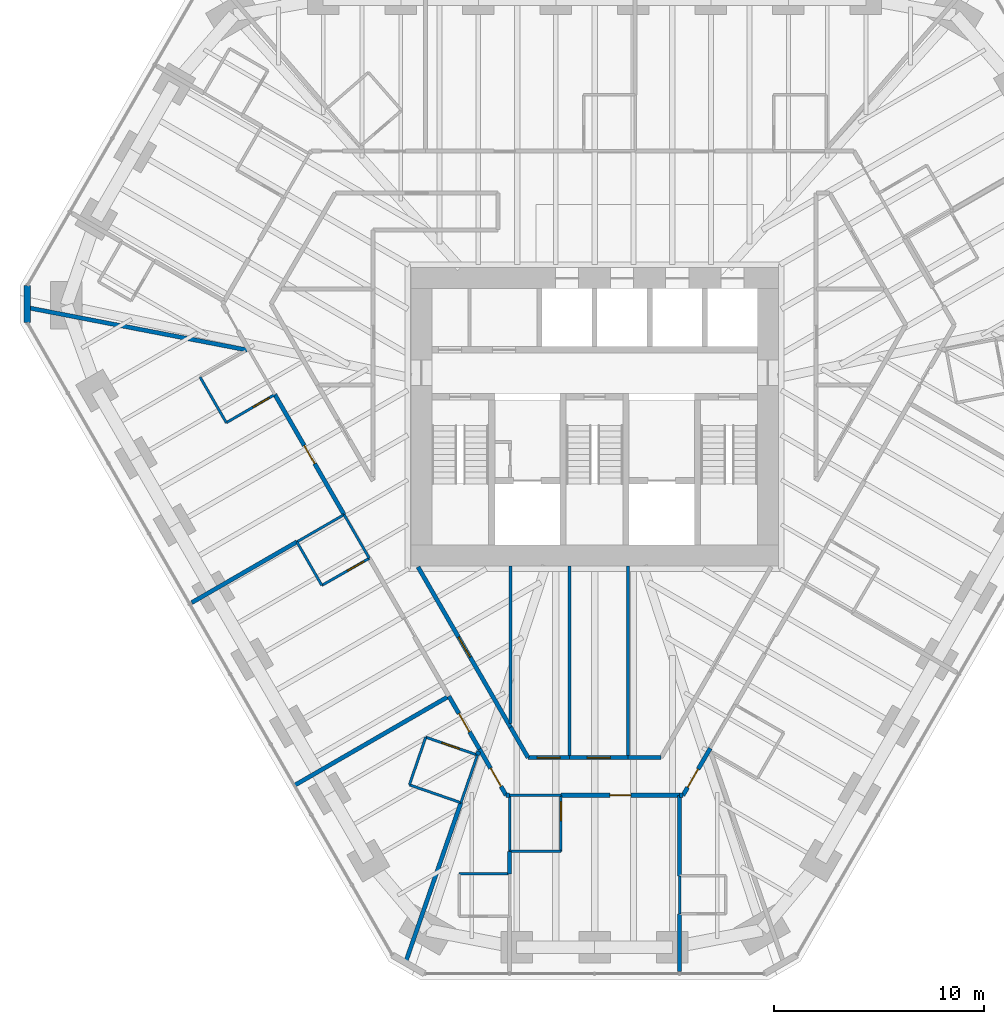
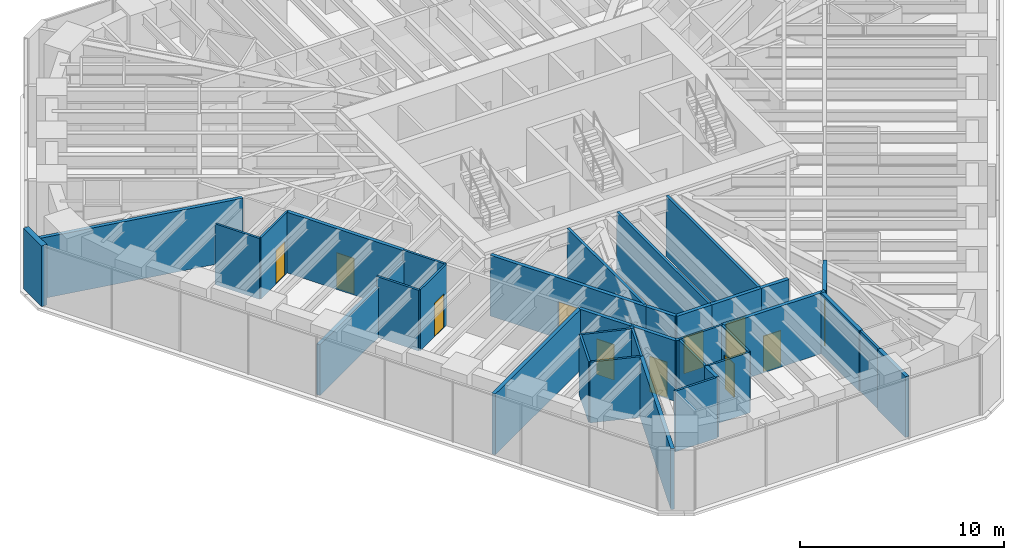
# One storey, part 11 of 16: 40 walls, 12 doors, 12 openings.
"""IFC4 building model written with IfcOpenShell, lengths in metres."""

from ifc_helpers import new_model, si_unit, direction, frame, frame_2d, origin, place, context, subcontext, project, spatial, rectangle, extrude, material, layer, layer_set, type_object, element, fill, save


model = new_model("IFC4")

# Units and contexts
model_context = context("Model", 3, precision=1e-05, world=origin(), true_north=direction((0.0, 1.0)))
body_context = subcontext(model_context, "Body", "Model", "MODEL_VIEW")
ifc_project = project(units=[si_unit("LENGTHUNIT", "METRE"), si_unit("AREAUNIT", "SQUARE_METRE"), si_unit("VOLUMEUNIT", "CUBIC_METRE"), si_unit("PLANEANGLEUNIT", "RADIAN"), si_unit("MASSUNIT", "GRAM", prefix="KILO")], contexts=[model_context])

# Site, building, storey
site_placement = place(None, origin())
site = spatial("IfcSite", under=ifc_project, at=site_placement, CompositionType="ELEMENT")
building_placement = place(site_placement, origin())
building = spatial("IfcBuilding", under=site, at=building_placement, Name="Sandreach Pilgrim Tower", CompositionType="ELEMENT")
storey_placement = place(building_placement, frame((0.0, 0.0, 209.800048828125)))
storey = spatial("IfcBuildingStorey", under=building, at=storey_placement, Name="L52", CompositionType="ELEMENT", Elevation=209.800048828125)

# Walls
ifc_material_1 = material(Name="Gypsum board on steel studs", Category="steel")
ifc_layer_1 = layer(ifc_material_1, 0.14990234375)
ifc_layer_set_1 = layer_set([ifc_layer_1], Name="Back of house wall 150")
wall_type_1 = type_object("IfcWallType", Name="Back of house wall 150", PredefinedType="PARTITIONING", material=ifc_layer_set_1)
wall_1_placement = place(storey_placement, frame((-4.0, -7.10009765625, 0.0), z_axis=(0.0, 0.0, 1.0), x_axis=(0.0, -1.0, 0.0)))
element("IfcWall", 1, at=wall_1_placement, inside=storey, type_object=wall_type_1, Name="Back of house wall L52-074", PredefinedType="PARTITIONING", context=body_context, shape_type="SweptSolid", body=[
    extrude(rectangle(XDim=7.514892578125, YDim=0.14990234375, at=frame_2d((3.75732421875, 0.0))), origin(), (0.0, 0.0, 1.0), 3.639892578125),
])
for number, where, z_axis, x_axis, name in (
    (2, (-1.199951171875, -7.10009765625, 0.0), (0.0, 0.0, 1.0), (0.0, -1.0, 0.0), "Back of house wall L52-079"),
    (3, (1.60009765625, -7.10009765625, 0.0), (0.0, 0.0, 1.0), (0.0, -1.0, 0.0), "Back of house wall L52-083"),
):
    element("IfcWall", number, at=place(storey_placement, frame(where, z_axis=z_axis, x_axis=x_axis)), inside=storey, type_object=wall_type_1, Name=name, PredefinedType="PARTITIONING", context=body_context, shape_type="SweptSolid", body=[
        extrude(rectangle(XDim=9.1298828125, YDim=0.14990234375, at=frame_2d((4.56494140625, 0.0))), origin(), (0.0, 0.0, 1.0), 3.639892578125),
    ])
ifc_material_2 = material(Name="Moisture-resistant gypsum board on steel studs", Category="steel")
ifc_layer_2 = layer(ifc_material_2, 0.1201171875)
ifc_layer_set_2 = layer_set([ifc_layer_2], Name="Bathroom partition 120")
wall_type_2 = type_object("IfcWallType", Name="Bathroom partition 120", PredefinedType="PARTITIONING", material=ifc_layer_set_2)
wall_2_placement = place(storey_placement, frame((-18.7900390625, 1.889892578125, 0.0), z_axis=(0.0, 0.0, 1.0), x_axis=(0.499159685399, -0.866510016372, 0.0)))
element("IfcWall", 4, at=wall_2_placement, inside=storey, type_object=wall_type_2, Name="Bathroom partition L52-010", PredefinedType="PARTITIONING", context=body_context, shape_type="SweptSolid", body=[
    extrude(rectangle(XDim=2.504150390625, YDim=0.1201171875, at=frame_2d((1.251953125, 0.0))), origin(), (0.0, 0.0, 1.0), 3.639892578125),
])

# Wall, opening, door
wall_3_placement = place(storey_placement, frame((-17.5400390625, -0.280029296875, 0.0), z_axis=(0.0, 0.0, 1.0), x_axis=(0.86498992408, 0.501789229896, 0.0)))
wall_3 = element("IfcWall", 5, at=wall_3_placement, inside=storey, type_object=wall_type_2, Name="Bathroom partition L52-015", PredefinedType="PARTITIONING", context=body_context, shape_type="SweptSolid", body=[
    extrude(rectangle(XDim=2.670654296875, YDim=0.1201171875, at=frame_2d((1.33544921875, 0.0))), origin(), (0.0, 0.0, 1.0), 3.639892578125),
])
opening_1_placement = place(wall_3_placement, frame((1.470458984375, 0.0, 0.0)))
opening_1 = element("IfcOpeningElement", 6, at=opening_1_placement, cuts=wall_3, Name="Opening D09-14B", PredefinedType="OPENING", context=body_context, shape_type="SweptSolid", body=[
    extrude(rectangle(XDim=0.89990234375, YDim=2.030029296875, at=frame_2d((0.449951171875, 1.01513671875))), frame((0.0, 0.06005859375, 0.0), z_axis=(0.0, -1.0, 0.0), x_axis=(1.0, 0.0, 0.0)), (0.0, 0.0, 1.0), 0.1201171875),
])
ifc_material_3 = material(Name="Timber door, steel frame", Category="steel")
door_type_1 = type_object("IfcDoorType", Name="Bathroom door", OperationType="SINGLE_SWING_LEFT", PredefinedType="DOOR", material=ifc_material_3)
door_1_placement = place(opening_1_placement, origin())
door_1 = element("IfcDoor", 7, at=door_1_placement, inside=storey, type_object=door_type_1, Name="Door 5214B", OperationType="SINGLE_SWING_RIGHT", OverallHeight=2.030029296875, OverallWidth=0.89990234375, PredefinedType="DOOR", context=body_context, shape_type="SweptSolid", body=[
    extrude(rectangle(XDim=0.89990234375, YDim=2.030029296875, at=frame_2d((0.449951171875, 1.01513671875))), frame((0.0, 0.02490234375, 0.0), z_axis=(0.0, -1.0, 0.0), x_axis=(1.0, 0.0, 0.0)), (0.0, 0.0, 1.0), 0.050048828125),
])
fill(opening_1, door_1)

# Walls
wall_4_placement = place(storey_placement, frame((-14.179931640625, -5.9599609375, 0.0), z_axis=(0.0, 0.0, 1.0), x_axis=(0.49836161924, -0.866969259241, 0.0)))
element("IfcWall", 8, at=wall_4_placement, inside=storey, type_object=wall_type_2, Name="Bathroom partition L52-032", PredefinedType="PARTITIONING", context=body_context, shape_type="SweptSolid", body=[
    extrude(rectangle(XDim=2.3876953125, YDim=0.1201171875, at=frame_2d((1.19384765625, 0.0))), origin(), (0.0, 0.0, 1.0), 3.639892578125),
])
wall_5_placement = place(storey_placement, frame((-14.179931640625, -5.9599609375, 0.0), z_axis=(0.0, 0.0, 1.0), x_axis=(0.865856933682, 0.500291685314, 0.0)))
element("IfcWall", 9, at=wall_5_placement, inside=storey, type_object=wall_type_2, Name="Bathroom partition L52-033", PredefinedType="PARTITIONING", context=body_context, shape_type="SweptSolid", body=[
    extrude(rectangle(XDim=2.5986328125, YDim=0.1201171875, at=frame_2d((1.29931640625, 0.0))), origin(), (0.0, 0.0, 1.0), 3.0380859375),
])

# Wall, opening, door
wall_6_placement = place(storey_placement, frame((-12.989990234375, -8.030029296875, 0.0), z_axis=(0.0, 0.0, 1.0), x_axis=(0.868473984885, 0.49573474518, 0.0)))
wall_6 = element("IfcWall", 10, at=wall_6_placement, inside=storey, type_object=wall_type_2, Name="Bathroom partition L52-036", PredefinedType="PARTITIONING", context=body_context, shape_type="SweptSolid", body=[
    extrude(rectangle(XDim=2.602294921875, YDim=0.1201171875, at=frame_2d((1.30126953125, 0.0))), origin(), (0.0, 0.0, 1.0), 3.639892578125),
])
opening_2_placement = place(wall_6_placement, frame((1.402099609375, 0.0, 0.0)))
opening_2 = element("IfcOpeningElement", 11, at=opening_2_placement, cuts=wall_6, Name="Opening D09-13B", PredefinedType="OPENING", context=body_context, shape_type="SweptSolid", body=[
    extrude(rectangle(XDim=0.89990234375, YDim=2.030029296875, at=frame_2d((0.449951171875, 1.01513671875))), frame((0.0, 0.06005859375, 0.0), z_axis=(0.0, -1.0, 0.0), x_axis=(1.0, 0.0, 0.0)), (0.0, 0.0, 1.0), 0.1201171875),
])
door_2_placement = place(opening_2_placement, origin())
door_2 = element("IfcDoor", 12, at=door_2_placement, inside=storey, type_object=door_type_1, Name="Door 5213B", OperationType="SINGLE_SWING_RIGHT", OverallHeight=2.030029296875, OverallWidth=0.89990234375, PredefinedType="DOOR", context=body_context, shape_type="SweptSolid", body=[
    extrude(rectangle(XDim=0.89990234375, YDim=2.030029296875, at=frame_2d((0.449951171875, 1.01513671875))), frame((0.0, 0.02490234375, 0.0), z_axis=(0.0, -1.0, 0.0), x_axis=(1.0, 0.0, 0.0)), (0.0, 0.0, 1.0), 0.050048828125),
])
fill(opening_2, door_2)

# Walls
wall_7_placement = place(storey_placement, frame((-11.929931640625, -4.659912109375, 0.0), z_axis=(0.0, 0.0, 1.0), x_axis=(0.499693115345, -0.866202511239, 0.0)))
element("IfcWall", 13, at=wall_7_placement, inside=storey, type_object=wall_type_2, Name="Bathroom partition L52-039", PredefinedType="PARTITIONING", context=body_context, shape_type="SweptSolid", body=[
    extrude(rectangle(XDim=2.4013671875, YDim=0.1201171875, at=frame_2d((1.20068359375, 0.0))), origin(), (0.0, 0.0, 1.0), 3.639892578125),
])
wall_8_placement = place(storey_placement, frame((-8.820068359375, -17.530029296875, 0.0), z_axis=(0.0, 0.0, 1.0), x_axis=(0.944753042377, -0.327782990589, 0.0)))
element("IfcWall", 14, at=wall_8_placement, inside=storey, type_object=wall_type_2, Name="Bathroom partition L52-052", PredefinedType="PARTITIONING", context=body_context, shape_type="SweptSolid", body=[
    extrude(rectangle(XDim=2.593505859375, YDim=0.1201171875, at=frame_2d((1.296875, 0.0))), origin(), (0.0, 0.0, 1.0), 3.639892578125),
])
wall_9_placement = place(storey_placement, frame((-8.0400390625, -15.260009765625, 0.0), z_axis=(0.0, 0.0, 1.0), x_axis=(-0.324971746724, -0.945723724896, 0.0)))
element("IfcWall", 15, at=wall_9_placement, inside=storey, type_object=wall_type_2, Name="Bathroom partition L52-055", PredefinedType="PARTITIONING", context=body_context, shape_type="SweptSolid", body=[
    extrude(rectangle(XDim=2.400390625, YDim=0.1201171875, at=frame_2d((1.2001953125, 0.0))), origin(), (0.0, 0.0, 1.0), 3.639892578125),
])
wall_10_placement = place(storey_placement, frame((-6.36474609375, -18.3818359375, 0.0), z_axis=(0.0, 0.0, 1.0), x_axis=(0.327571022417, 0.944826558302, 0.0)))
element("IfcWall", 16, at=wall_10_placement, inside=storey, type_object=wall_type_2, Name="Bathroom partition L52-059", PredefinedType="PARTITIONING", context=body_context, shape_type="SweptSolid", body=[
    extrude(rectangle(XDim=2.403564453125, YDim=0.1201171875, at=frame_2d((1.20166015625, 0.0))), origin(), (0.0, 0.0, 1.0), 3.639892578125),
])

# Wall, opening, door
wall_11_placement = place(storey_placement, frame((-5.580078125, -16.110107421875, 0.0), z_axis=(0.0, 0.0, 1.0), x_axis=(-0.94515546045, 0.326620813149, 0.0)))
wall_11 = element("IfcWall", 17, at=wall_11_placement, inside=storey, type_object=wall_type_2, Name="Bathroom partition L52-060", PredefinedType="PARTITIONING", context=body_context, shape_type="SweptSolid", body=[
    extrude(rectangle(XDim=2.602783203125, YDim=0.1201171875, at=frame_2d((1.30126953125, 0.0))), origin(), (0.0, 0.0, 1.0), 3.639892578125),
])
opening_3_placement = place(wall_11_placement, frame((0.89990234375, 0.0, 0.0)))
opening_3 = element("IfcOpeningElement", 18, at=opening_3_placement, cuts=wall_11, Name="Opening D09-12B", PredefinedType="OPENING", context=body_context, shape_type="SweptSolid", body=[
    extrude(rectangle(XDim=0.89990234375, YDim=2.030029296875, at=frame_2d((0.449951171875, 1.01513671875))), frame((0.0, 0.06005859375, 0.0), z_axis=(0.0, -1.0, 0.0), x_axis=(1.0, 0.0, 0.0)), (0.0, 0.0, 1.0), 0.1201171875),
])
door_3_placement = place(opening_3_placement, origin())
door_3 = element("IfcDoor", 19, at=door_3_placement, inside=storey, type_object=door_type_1, Name="Door 5212B", OperationType="SINGLE_SWING_RIGHT", OverallHeight=2.030029296875, OverallWidth=0.89990234375, PredefinedType="DOOR", context=body_context, shape_type="SweptSolid", body=[
    extrude(rectangle(XDim=0.89990234375, YDim=2.030029296875, at=frame_2d((0.449951171875, 1.01513671875))), frame((0.0, 0.02490234375, 0.0), z_axis=(0.0, -1.0, 0.0), x_axis=(1.0, 0.0, 0.0)), (0.0, 0.0, 1.0), 0.050048828125),
])
fill(opening_3, door_3)

# Walls
wall_12_placement = place(storey_placement, frame((-4.050048828125, -21.77001953125, 0.0), z_axis=(0.0, 0.0, 1.0), x_axis=(-1.0, 0.0, 0.0)))
element("IfcWall", 20, at=wall_12_placement, inside=storey, type_object=wall_type_2, Name="Bathroom partition L52-068", PredefinedType="PARTITIONING", context=body_context, shape_type="SweptSolid", body=[
    extrude(rectangle(XDim=2.39990234375, YDim=0.1201171875, at=frame_2d((1.199951171875, 0.0))), origin(), (0.0, 0.0, 1.0), 3.639892578125),
])
wall_13_placement = place(storey_placement, frame((-4.050048828125, -20.699951171875, 0.0), z_axis=(0.0, 0.0, 1.0), x_axis=(0.0, 1.0, 0.0)))
element("IfcWall", 21, at=wall_13_placement, inside=storey, type_object=wall_type_2, Name="Bathroom partition L52-070", PredefinedType="PARTITIONING", context=body_context, shape_type="SweptSolid", body=[
    extrude(rectangle(XDim=2.669921875, YDim=0.1201171875, at=frame_2d((1.3349609375, 0.0))), origin(), (0.0, 0.0, 1.0), 3.639892578125),
])
for number, where, z_axis, x_axis, name in (
    (22, (-4.050048828125, -20.699951171875, 0.0), (0.0, 0.0, 1.0), (1.0, 0.0, 0.0), "Bathroom partition L52-071"),
    (23, (-4.050048828125, -18.030029296875, 0.0), (0.0, 0.0, 1.0), (1.0, 0.0, 0.0), "Bathroom partition L52-072"),
):
    element("IfcWall", number, at=place(storey_placement, frame(where, z_axis=z_axis, x_axis=x_axis)), inside=storey, type_object=wall_type_2, Name=name, PredefinedType="PARTITIONING", context=body_context, shape_type="SweptSolid", body=[
        extrude(rectangle(XDim=2.449951171875, YDim=0.1201171875, at=frame_2d((1.22509765625, 0.0))), origin(), (0.0, 0.0, 1.0), 3.639892578125),
    ])

# Wall, opening, door
wall_14_placement = place(storey_placement, frame((-1.60009765625, -20.699951171875, 0.0), z_axis=(0.0, 0.0, 1.0), x_axis=(0.0, 1.0, 0.0)))
wall_14 = element("IfcWall", 24, at=wall_14_placement, inside=storey, type_object=wall_type_2, Name="Bathroom partition L52-076", PredefinedType="PARTITIONING", context=body_context, shape_type="SweptSolid", body=[
    extrude(rectangle(XDim=2.669921875, YDim=0.1201171875, at=frame_2d((1.3349609375, 0.0))), origin(), (0.0, 0.0, 1.0), 3.639892578125),
])
opening_4_placement = place(wall_14_placement, frame((1.469970703125, 0.0, 0.0)))
opening_4 = element("IfcOpeningElement", 25, at=opening_4_placement, cuts=wall_14, Name="Opening D09-10B", PredefinedType="OPENING", context=body_context, shape_type="SweptSolid", body=[
    extrude(rectangle(XDim=0.89990234375, YDim=2.030029296875, at=frame_2d((0.449951171875, 1.01513671875))), frame((0.0, 0.06005859375, 0.0), z_axis=(0.0, -1.0, 0.0), x_axis=(1.0, 0.0, 0.0)), (0.0, 0.0, 1.0), 0.1201171875),
])
door_4_placement = place(opening_4_placement, origin())
door_4 = element("IfcDoor", 26, at=door_4_placement, inside=storey, type_object=door_type_1, Name="Door 5210B", OperationType="SINGLE_SWING_RIGHT", OverallHeight=2.030029296875, OverallWidth=0.89990234375, PredefinedType="DOOR", context=body_context, shape_type="SweptSolid", body=[
    extrude(rectangle(XDim=0.89990234375, YDim=2.030029296875, at=frame_2d((0.449951171875, 1.01513671875))), frame((0.0, 0.02490234375, 0.0), z_axis=(0.0, -1.0, 0.0), x_axis=(1.0, 0.0, 0.0)), (0.0, 0.0, 1.0), 0.050048828125),
])
fill(opening_4, door_4)

# Wall
wall_15_placement = place(storey_placement, frame((4.050048828125, -23.679931640625, 0.0), z_axis=(0.0, 0.0, 1.0), x_axis=(0.0, 1.0, 0.0)))
element("IfcWall", 27, at=wall_15_placement, inside=storey, type_object=wall_type_2, Name="Bathroom partition L52-090", PredefinedType="PARTITIONING", context=body_context, shape_type="SweptSolid", body=[
    extrude(rectangle(XDim=1.809814453125, YDim=0.1201171875, at=frame_2d((0.90478515625, 0.0))), origin(), (0.0, 0.0, 1.0), 3.639892578125),
])

# Wall, opening, door
ifc_material_4 = material(Name="Gypsum board on steel studs, two layers each side", Category="steel")
ifc_layer_3 = layer(ifc_material_4, 0.199951171875)
ifc_layer_set_3 = layer_set([ifc_layer_3], Name="Corridor wall 200")
wall_type_3 = type_object("IfcWallType", Name="Corridor wall 200", PredefinedType="PARTITIONING", material=ifc_layer_set_3)
wall_16_placement = place(storey_placement, frame((-15.22998046875, 1.06005859375, 0.0), z_axis=(0.0, 0.0, 1.0), x_axis=(0.499729921425, -0.866181277581, 0.0)))
wall_16 = element("IfcWall", 28, at=wall_16_placement, inside=storey, type_object=wall_type_3, Name="Corridor wall L52-027", PredefinedType="PARTITIONING", context=body_context, shape_type="SweptSolid", body=[
    extrude(rectangle(XDim=6.603759765625, YDim=0.199951171875, at=frame_2d((3.3017578125, 0.0))), origin(), (0.0, 0.0, 1.0), 3.639892578125),
])
opening_5_placement = place(wall_16_placement, frame((2.8017578125, 0.0, 0.0)))
opening_5 = element("IfcOpeningElement", 29, at=opening_5_placement, cuts=wall_16, Name="Opening D10-14", PredefinedType="OPENING", context=body_context, shape_type="SweptSolid", body=[
    extrude(rectangle(XDim=1.0, YDim=2.1298828125, at=frame_2d((0.5, 1.06494140625))), frame((0.0, 0.10009765625, 0.0), z_axis=(0.0, -1.0, 0.0), x_axis=(1.0, 0.0, 0.0)), (0.0, 0.0, 1.0), 0.199951171875),
])
ifc_material_5 = material(Name="Steel door and frame", Category="steel")
door_type_2 = type_object("IfcDoorType", Name="Guest room entry door", OperationType="SINGLE_SWING_LEFT", PredefinedType="DOOR", material=ifc_material_5)
door_5_placement = place(opening_5_placement, origin())
door_5 = element("IfcDoor", 30, at=door_5_placement, inside=storey, type_object=door_type_2, Name="Door 5214", OperationType="SINGLE_SWING_LEFT", OverallHeight=2.1298828125, OverallWidth=1.0, PredefinedType="DOOR", context=body_context, shape_type="SweptSolid", body=[
    extrude(rectangle(XDim=1.0, YDim=2.1298828125, at=frame_2d((0.5, 1.06494140625))), frame((0.0, 0.02490234375, 0.0), z_axis=(0.0, -1.0, 0.0), x_axis=(1.0, 0.0, 0.0)), (0.0, 0.0, 1.0), 0.050048828125),
])
fill(opening_5, door_5)

wall_17_placement = place(storey_placement, frame((-6.93994140625, -13.31005859375, 0.0), z_axis=(0.0, 0.0, 1.0), x_axis=(0.501293994647, -0.865277025542, 0.0)))
wall_17 = element("IfcWall", 31, at=wall_17_placement, inside=storey, type_object=wall_type_3, Name="Corridor wall L52-056", PredefinedType="PARTITIONING", context=body_context, shape_type="SweptSolid", body=[
    extrude(rectangle(XDim=2.912353515625, YDim=0.199951171875, at=frame_2d((1.4560546875, 0.0))), origin(), (0.0, 0.0, 1.0), 3.639892578125),
])
opening_6_placement = place(wall_17_placement, frame((0.956298828125, 0.0, 0.0)))
opening_6 = element("IfcOpeningElement", 32, at=opening_6_placement, cuts=wall_17, Name="Opening D10-12", PredefinedType="OPENING", context=body_context, shape_type="SweptSolid", body=[
    extrude(rectangle(XDim=1.0, YDim=2.1298828125, at=frame_2d((0.5, 1.06494140625))), frame((0.0, 0.10009765625, 0.0), z_axis=(0.0, -1.0, 0.0), x_axis=(1.0, 0.0, 0.0)), (0.0, 0.0, 1.0), 0.199951171875),
])
door_6_placement = place(opening_6_placement, origin())
door_6 = element("IfcDoor", 33, at=door_6_placement, inside=storey, type_object=door_type_2, Name="Door 5212", OperationType="SINGLE_SWING_LEFT", OverallHeight=2.1298828125, OverallWidth=1.0, PredefinedType="DOOR", context=body_context, shape_type="SweptSolid", body=[
    extrude(rectangle(XDim=1.0, YDim=2.1298828125, at=frame_2d((0.5, 1.06494140625))), frame((0.0, 0.02490234375, 0.0), z_axis=(0.0, -1.0, 0.0), x_axis=(1.0, 0.0, 0.0)), (0.0, 0.0, 1.0), 0.050048828125),
])
fill(opening_6, door_6)

wall_18_placement = place(storey_placement, frame((-5.47998046875, -15.830078125, 0.0), z_axis=(0.0, 0.0, 1.0), x_axis=(0.499963722229, -0.866046347752, 0.0)))
wall_18 = element("IfcWall", 34, at=wall_18_placement, inside=storey, type_object=wall_type_3, Name="Corridor wall L52-062", PredefinedType="PARTITIONING", context=body_context, shape_type="SweptSolid", body=[
    extrude(rectangle(XDim=2.540283203125, YDim=0.199951171875, at=frame_2d((1.27001953125, 0.0))), origin(), (0.0, 0.0, 1.0), 3.639892578125),
])
opening_7_placement = place(wall_18_placement, frame((1.050048828125, 0.0, 0.0)))
opening_7 = element("IfcOpeningElement", 35, at=opening_7_placement, cuts=wall_18, Name="Opening D10-11", PredefinedType="OPENING", context=body_context, shape_type="SweptSolid", body=[
    extrude(rectangle(XDim=1.0, YDim=2.1298828125, at=frame_2d((0.5, 1.06494140625))), frame((0.0, 0.10009765625, 0.0), z_axis=(0.0, -1.0, 0.0), x_axis=(1.0, 0.0, 0.0)), (0.0, 0.0, 1.0), 0.199951171875),
])
door_7_placement = place(opening_7_placement, origin())
door_7 = element("IfcDoor", 36, at=door_7_placement, inside=storey, type_object=door_type_2, Name="Door 5211", OperationType="SINGLE_SWING_RIGHT", OverallHeight=2.1298828125, OverallWidth=1.0, PredefinedType="DOOR", context=body_context, shape_type="SweptSolid", body=[
    extrude(rectangle(XDim=1.0, YDim=2.1298828125, at=frame_2d((0.5, 1.06494140625))), frame((0.0, 0.02490234375, 0.0), z_axis=(0.0, -1.0, 0.0), x_axis=(1.0, 0.0, 0.0)), (0.0, 0.0, 1.0), 0.050048828125),
])
fill(opening_7, door_7)

# Wall
wall_19_placement = place(storey_placement, frame((-4.2099609375, -18.030029296875, 0.0), z_axis=(0.0, 0.0, 1.0), x_axis=(1.0, 0.0, 0.0)))
element("IfcWall", 37, at=wall_19_placement, inside=storey, type_object=wall_type_3, Name="Corridor wall L52-065", PredefinedType="PARTITIONING", context=body_context, shape_type="SweptSolid", body=[
    extrude(rectangle(XDim=0.159912109375, YDim=0.199951171875, at=frame_2d((0.080078125, 0.0))), origin(), (0.0, 0.0, 1.0), 3.639892578125),
])

# Wall, opening, door
wall_20_placement = place(storey_placement, frame((-4.0, -14.7900390625, 0.0), z_axis=(0.0, 0.0, 1.0), x_axis=(-0.499916512745, 0.866073599808, 0.0)))
wall_20 = element("IfcWall", 38, at=wall_20_placement, inside=storey, type_object=wall_type_3, Name="Corridor wall L52-073", PredefinedType="PARTITIONING", context=body_context, shape_type="SweptSolid", body=[
    extrude(rectangle(XDim=8.8212890625, YDim=0.199951171875, at=frame_2d((4.41064453125, 0.0))), origin(), (0.0, 0.0, 1.0), 3.639892578125),
])
opening_8_placement = place(wall_20_placement, frame((3.860595703125, 0.0, 0.0)))
opening_8 = element("IfcOpeningElement", 39, at=opening_8_placement, cuts=wall_20, Name="Opening D11H-S1", PredefinedType="OPENING", context=body_context, shape_type="SweptSolid", body=[
    extrude(rectangle(XDim=1.10009765625, YDim=2.199951171875, at=frame_2d((0.550048828125, 1.10009765625))), frame((0.0, 0.10009765625, 0.0), z_axis=(0.0, -1.0, 0.0), x_axis=(1.0, 0.0, 0.0)), (0.0, 0.0, 1.0), 0.199951171875),
])
ifc_material_6 = material(Name="Steel door and frame", Category="steel")
door_type_3 = type_object("IfcDoorType", Name="Back of house door", OperationType="SINGLE_SWING_LEFT", PredefinedType="DOOR", material=ifc_material_6)
door_8_placement = place(opening_8_placement, origin())
door_8 = element("IfcDoor", 40, at=door_8_placement, inside=storey, type_object=door_type_3, Name="Door 52S1", OperationType="SINGLE_SWING_LEFT", OverallHeight=2.199951171875, OverallWidth=1.10009765625, PredefinedType="DOOR", context=body_context, shape_type="SweptSolid", body=[
    extrude(rectangle(XDim=1.10009765625, YDim=2.199951171875, at=frame_2d((0.550048828125, 1.10009765625))), frame((0.0, 0.02490234375, 0.0), z_axis=(0.0, -1.0, 0.0), x_axis=(1.0, 0.0, 0.0)), (0.0, 0.0, 1.0), 0.050048828125),
])
fill(opening_8, door_8)

# Wall
wall_21_placement = place(storey_placement, frame((-3.169921875, -16.22998046875, 0.0), z_axis=(0.0, 0.0, 1.0), x_axis=(-0.499425709803, 0.866356716594, 0.0)))
element("IfcWall", 41, at=wall_21_placement, inside=storey, type_object=wall_type_3, Name="Corridor wall L52-075", PredefinedType="PARTITIONING", context=body_context, shape_type="SweptSolid", body=[
    extrude(rectangle(XDim=1.662109375, YDim=0.199951171875, at=frame_2d((0.8310546875, 0.0))), origin(), (0.0, 0.0, 1.0), 3.639892578125),
])

# Wall, opening, door
wall_22_placement = place(storey_placement, frame((-1.60009765625, -18.030029296875, 0.0), z_axis=(0.0, 0.0, 1.0), x_axis=(1.0, 0.0, 0.0)))
wall_22 = element("IfcWall", 42, at=wall_22_placement, inside=storey, type_object=wall_type_3, Name="Corridor wall L52-077", PredefinedType="PARTITIONING", context=body_context, shape_type="SweptSolid", body=[
    extrude(rectangle(XDim=5.650146484375, YDim=0.199951171875, at=frame_2d((2.8251953125, 0.0))), origin(), (0.0, 0.0, 1.0), 3.639892578125),
])
opening_9_placement = place(wall_22_placement, frame((2.324951171875, 0.0, 0.0)))
opening_9 = element("IfcOpeningElement", 43, at=opening_9_placement, cuts=wall_22, Name="Opening D10-10", PredefinedType="OPENING", context=body_context, shape_type="SweptSolid", body=[
    extrude(rectangle(XDim=1.0, YDim=2.1298828125, at=frame_2d((0.5, 1.06494140625))), frame((0.0, 0.10009765625, 0.0), z_axis=(0.0, -1.0, 0.0), x_axis=(1.0, 0.0, 0.0)), (0.0, 0.0, 1.0), 0.199951171875),
])
door_9_placement = place(opening_9_placement, origin())
door_9 = element("IfcDoor", 44, at=door_9_placement, inside=storey, type_object=door_type_2, Name="Door 5210", OperationType="SINGLE_SWING_LEFT", OverallHeight=2.1298828125, OverallWidth=1.0, PredefinedType="DOOR", context=body_context, shape_type="SweptSolid", body=[
    extrude(rectangle(XDim=1.0, YDim=2.1298828125, at=frame_2d((0.5, 1.06494140625))), frame((0.0, 0.02490234375, 0.0), z_axis=(0.0, -1.0, 0.0), x_axis=(1.0, 0.0, 0.0)), (0.0, 0.0, 1.0), 0.050048828125),
])
fill(opening_9, door_9)

wall_23_placement = place(storey_placement, frame((-1.199951171875, -16.22998046875, 0.0), z_axis=(0.0, 0.0, 1.0), x_axis=(-1.0, 0.0, 0.0)))
wall_23 = element("IfcWall", 45, at=wall_23_placement, inside=storey, type_object=wall_type_3, Name="Corridor wall L52-078", PredefinedType="PARTITIONING", context=body_context, shape_type="SweptSolid", body=[
    extrude(rectangle(XDim=1.969970703125, YDim=0.199951171875, at=frame_2d((0.98486328125, 0.0))), origin(), (0.0, 0.0, 1.0), 3.639892578125),
])
opening_10_placement = place(wall_23_placement, frame((0.43505859375, 0.0, 0.0)))
opening_10 = element("IfcOpeningElement", 46, at=opening_10_placement, cuts=wall_23, Name="Opening D11H-S2", PredefinedType="OPENING", context=body_context, shape_type="SweptSolid", body=[
    extrude(rectangle(XDim=1.10009765625, YDim=2.199951171875, at=frame_2d((0.550048828125, 1.10009765625))), frame((0.0, 0.10009765625, 0.0), z_axis=(0.0, -1.0, 0.0), x_axis=(1.0, 0.0, 0.0)), (0.0, 0.0, 1.0), 0.199951171875),
])
door_10_placement = place(opening_10_placement, origin())
door_10 = element("IfcDoor", 47, at=door_10_placement, inside=storey, type_object=door_type_3, Name="Door 52S2", OperationType="SINGLE_SWING_LEFT", OverallHeight=2.199951171875, OverallWidth=1.10009765625, PredefinedType="DOOR", context=body_context, shape_type="SweptSolid", body=[
    extrude(rectangle(XDim=1.10009765625, YDim=2.199951171875, at=frame_2d((0.550048828125, 1.10009765625))), frame((0.0, 0.02490234375, 0.0), z_axis=(0.0, -1.0, 0.0), x_axis=(1.0, 0.0, 0.0)), (0.0, 0.0, 1.0), 0.050048828125),
])
fill(opening_10, door_10)

wall_24_placement = place(storey_placement, frame((1.60009765625, -16.22998046875, 0.0), z_axis=(0.0, 0.0, 1.0), x_axis=(-1.0, 0.0, 0.0)))
wall_24 = element("IfcWall", 48, at=wall_24_placement, inside=storey, type_object=wall_type_3, Name="Corridor wall L52-082", PredefinedType="PARTITIONING", context=body_context, shape_type="SweptSolid", body=[
    extrude(rectangle(XDim=2.800048828125, YDim=0.199951171875, at=frame_2d((1.39990234375, 0.0))), origin(), (0.0, 0.0, 1.0), 3.639892578125),
])
opening_11_placement = place(wall_24_placement, frame((0.85009765625, 0.0, 0.0)))
opening_11 = element("IfcOpeningElement", 49, at=opening_11_placement, cuts=wall_24, Name="Opening D11H-S3", PredefinedType="OPENING", context=body_context, shape_type="SweptSolid", body=[
    extrude(rectangle(XDim=1.10009765625, YDim=2.199951171875, at=frame_2d((0.550048828125, 1.10009765625))), frame((0.0, 0.10009765625, 0.0), z_axis=(0.0, -1.0, 0.0), x_axis=(1.0, 0.0, 0.0)), (0.0, 0.0, 1.0), 0.199951171875),
])
door_11_placement = place(opening_11_placement, origin())
door_11 = element("IfcDoor", 50, at=door_11_placement, inside=storey, type_object=door_type_3, Name="Door 52S3", OperationType="SINGLE_SWING_LEFT", OverallHeight=2.199951171875, OverallWidth=1.10009765625, PredefinedType="DOOR", context=body_context, shape_type="SweptSolid", body=[
    extrude(rectangle(XDim=1.10009765625, YDim=2.199951171875, at=frame_2d((0.550048828125, 1.10009765625))), frame((0.0, 0.02490234375, 0.0), z_axis=(0.0, -1.0, 0.0), x_axis=(1.0, 0.0, 0.0)), (0.0, 0.0, 1.0), 0.050048828125),
])
fill(opening_11, door_11)

# Walls
wall_25_placement = place(storey_placement, frame((3.169921875, -16.22998046875, 0.0), z_axis=(0.0, 0.0, 1.0), x_axis=(-1.0, 0.0, 0.0)))
element("IfcWall", 51, at=wall_25_placement, inside=storey, type_object=wall_type_3, Name="Corridor wall L52-088", PredefinedType="PARTITIONING", context=body_context, shape_type="SweptSolid", body=[
    extrude(rectangle(XDim=1.56982421875, YDim=0.199951171875, at=frame_2d((0.784912109375, 0.0))), origin(), (0.0, 0.0, 1.0), 3.639892578125),
])
wall_26_placement = place(storey_placement, frame((4.050048828125, -18.030029296875, 0.0), z_axis=(0.0, 0.0, 1.0), x_axis=(1.0, 0.0, 0.0)))
element("IfcWall", 52, at=wall_26_placement, inside=storey, type_object=wall_type_3, Name="Corridor wall L52-093", PredefinedType="PARTITIONING", context=body_context, shape_type="SweptSolid", body=[
    extrude(rectangle(XDim=0.159912109375, YDim=0.199951171875, at=frame_2d((0.080078125, 0.0))), origin(), (0.0, 0.0, 1.0), 3.639892578125),
])

# Wall, opening, door
wall_27_placement = place(storey_placement, frame((5.510009765625, -15.7900390625, 0.0), z_axis=(0.0, 0.0, 1.0), x_axis=(-0.501964949025, -0.864887963814, 0.0)))
wall_27 = element("IfcWall", 53, at=wall_27_placement, inside=storey, type_object=wall_type_3, Name="Corridor wall L52-094", PredefinedType="PARTITIONING", context=body_context, shape_type="SweptSolid", body=[
    extrude(rectangle(XDim=2.58984375, YDim=0.199951171875, at=frame_2d((1.294921875, 0.0))), origin(), (0.0, 0.0, 1.0), 3.639892578125),
])
opening_12_placement = place(wall_27_placement, frame((1.14990234375, 0.0, 0.0)))
opening_12 = element("IfcOpeningElement", 54, at=opening_12_placement, cuts=wall_27, Name="Opening D10-09", PredefinedType="OPENING", context=body_context, shape_type="SweptSolid", body=[
    extrude(rectangle(XDim=1.0, YDim=2.1298828125, at=frame_2d((0.5, 1.06494140625))), frame((0.0, 0.10009765625, 0.0), z_axis=(0.0, -1.0, 0.0), x_axis=(1.0, 0.0, 0.0)), (0.0, 0.0, 1.0), 0.199951171875),
])
door_12_placement = place(opening_12_placement, origin())
door_12 = element("IfcDoor", 55, at=door_12_placement, inside=storey, type_object=door_type_2, Name="Door 5209", OperationType="SINGLE_SWING_RIGHT", OverallHeight=2.1298828125, OverallWidth=1.0, PredefinedType="DOOR", context=body_context, shape_type="SweptSolid", body=[
    extrude(rectangle(XDim=1.0, YDim=2.1298828125, at=frame_2d((0.5, 1.06494140625))), frame((0.0, 0.02490234375, 0.0), z_axis=(0.0, -1.0, 0.0), x_axis=(1.0, 0.0, 0.0)), (0.0, 0.0, 1.0), 0.050048828125),
])
fill(opening_12, door_12)

# Walls
ifc_material_7 = material(Name="Double steel stud acoustic wall, gypsum board", Category="steel")
ifc_layer_4 = layer(ifc_material_7, 0.199951171875)
ifc_layer_set_4 = layer_set([ifc_layer_4], Name="Party wall 200")
wall_type_4 = type_object("IfcWallType", Name="Party wall 200", PredefinedType="PARTITIONING", material=ifc_layer_set_4)
wall_28_placement = place(storey_placement, frame((-27.04052734375, 5.204345703125, 0.0), z_axis=(0.0, 0.0, 1.0), x_axis=(0.981884490433, -0.18948046719, 0.0)))
element("IfcWall", 56, at=wall_28_placement, inside=storey, type_object=wall_type_4, Name="Party wall L52-001", PredefinedType="PARTITIONING", context=body_context, shape_type="SweptSolid", body=[
    extrude(rectangle(XDim=10.68408203125, YDim=0.199951171875, at=frame_2d((5.342041015625, 0.0))), origin(), (0.0, 0.0, 1.0), 3.639892578125),
])
wall_29_placement = place(storey_placement, frame((-19.18603515625, -8.85009765625, 0.0), z_axis=(0.0, 0.0, 1.0), x_axis=(0.866035778077, 0.499982030767, 0.0)))
element("IfcWall", 57, at=wall_29_placement, inside=storey, type_object=wall_type_4, Name="Party wall L52-009", PredefinedType="PARTITIONING", context=body_context, shape_type="SweptSolid", body=[
    extrude(rectangle(XDim=5.780517578125, YDim=0.199951171875, at=frame_2d((2.89013671875, 0.0))), origin(), (0.0, 0.0, 1.0), 3.0380859375),
])
wall_30_placement = place(storey_placement, frame((-14.27392578125, -17.544921875, 0.0), z_axis=(0.0, 0.0, 1.0), x_axis=(0.865985626634, 0.500068889717, 0.0)))
element("IfcWall", 58, at=wall_30_placement, inside=storey, type_object=wall_type_4, Name="Party wall L52-031", PredefinedType="PARTITIONING", context=body_context, shape_type="SweptSolid", body=[
    extrude(rectangle(XDim=8.458740234375, YDim=0.199951171875, at=frame_2d((4.2294921875, 0.0))), origin(), (0.0, 0.0, 1.0), 3.639892578125),
])
wall_31_placement = place(storey_placement, frame((-9.01025390625, -26.01171875, 0.0), z_axis=(0.0, 0.0, 1.0), x_axis=(0.32759647282, 0.944817734272, 0.0)))
element("IfcWall", 59, at=wall_31_placement, inside=storey, type_object=wall_type_4, Name="Party wall L52-051", PredefinedType="PARTITIONING", context=body_context, shape_type="SweptSolid", body=[
    extrude(rectangle(XDim=8.075439453125, YDim=0.199951171875, at=frame_2d((4.03759765625, 0.0))), origin(), (0.0, 0.0, 1.0), 3.639892578125),
])
wall_32_placement = place(storey_placement, frame((-5.577392578125, -16.11083984375, 0.0), z_axis=(0.0, 0.0, 1.0), x_axis=(0.328260778463, 0.944587138025, 0.0)))
element("IfcWall", 60, at=wall_32_placement, inside=storey, type_object=wall_type_4, Name="Party wall L52-061", PredefinedType="PARTITIONING", context=body_context, shape_type="SweptSolid", body=[
    extrude(rectangle(XDim=0.18212890625, YDim=0.199951171875, at=frame_2d((0.091064453125, 0.0))), origin(), (0.0, 0.0, 1.0), 3.639892578125),
])
wall_33_placement = place(storey_placement, frame((-4.050048828125, -21.77001953125, 0.0), z_axis=(0.0, 0.0, 1.0), x_axis=(0.0, 1.0, 0.0)))
element("IfcWall", 61, at=wall_33_placement, inside=storey, type_object=wall_type_4, Name="Party wall L52-069", PredefinedType="PARTITIONING", context=body_context, shape_type="SweptSolid", body=[
    extrude(rectangle(XDim=1.070068359375, YDim=0.199951171875, at=frame_2d((0.53515625, 0.0))), origin(), (0.0, 0.0, 1.0), 3.639892578125),
])
wall_34_placement = place(storey_placement, frame((4.050048828125, -26.409912109375, 0.0), z_axis=(0.0, 0.0, 1.0), x_axis=(0.0, 1.0, 0.0)))
element("IfcWall", 62, at=wall_34_placement, inside=storey, type_object=wall_type_4, Name="Party wall L52-089", PredefinedType="PARTITIONING", context=body_context, shape_type="SweptSolid", body=[
    extrude(rectangle(XDim=2.72998046875, YDim=0.199951171875, at=frame_2d((1.364990234375, 0.0))), origin(), (0.0, 0.0, 1.0), 3.639892578125),
])
wall_35_placement = place(storey_placement, frame((4.050048828125, -21.8701171875, 0.0), z_axis=(0.0, 0.0, 1.0), x_axis=(0.0, 1.0, 0.0)))
element("IfcWall", 63, at=wall_35_placement, inside=storey, type_object=wall_type_4, Name="Party wall L52-092", PredefinedType="PARTITIONING", context=body_context, shape_type="SweptSolid", body=[
    extrude(rectangle(XDim=3.830078125, YDim=0.199951171875, at=frame_2d((1.9150390625, 0.0))), origin(), (0.0, 0.0, 1.0), 3.639892578125),
])
ifc_material_8 = material(Name="Terracotta rainscreen on concrete", Category="masonry")
ifc_layer_5 = layer(ifc_material_8, 0.300048828125)
ifc_layer_set_5 = layer_set([ifc_layer_5], Name="Terracotta chamfer pier")
wall_type_5 = type_object("IfcWallType", Name="Terracotta chamfer pier", PredefinedType="SOLIDWALL", material=ifc_layer_set_5)
wall_36_placement = place(storey_placement, frame((-27.02001953125, 4.47998046875, 0.0), z_axis=(0.0, 0.0, 1.0), x_axis=(0.0, 1.0, 0.0)))
element("IfcWall", 64, at=wall_36_placement, inside=storey, type_object=wall_type_5, Name="Chamfer pier L52 SW", PredefinedType="SOLIDWALL", context=body_context, shape_type="SweptSolid", body=[
    extrude(rectangle(XDim=1.77001953125, YDim=0.300048828125, at=frame_2d((0.885009765625, 0.0))), origin(), (0.0, 0.0, 1.0), 3.639892578125),
])

save(model, "model.ifc")
